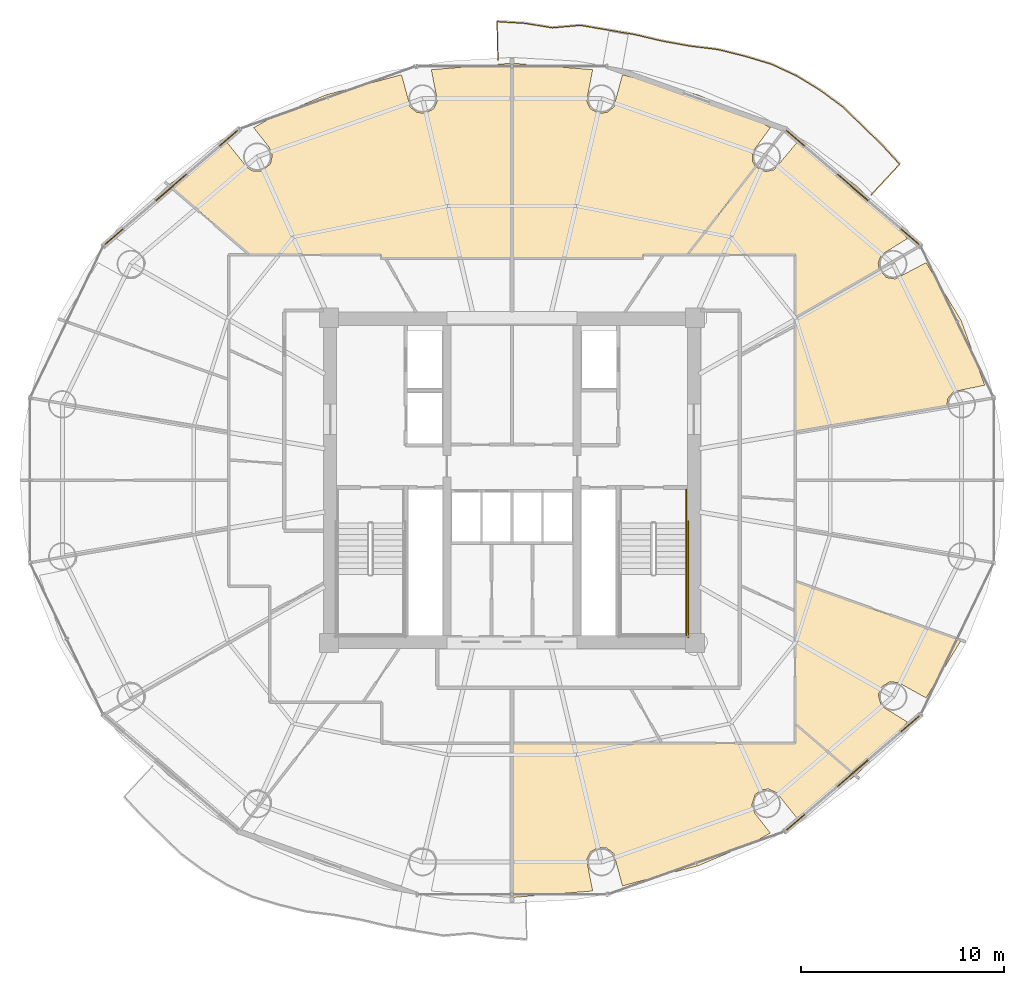
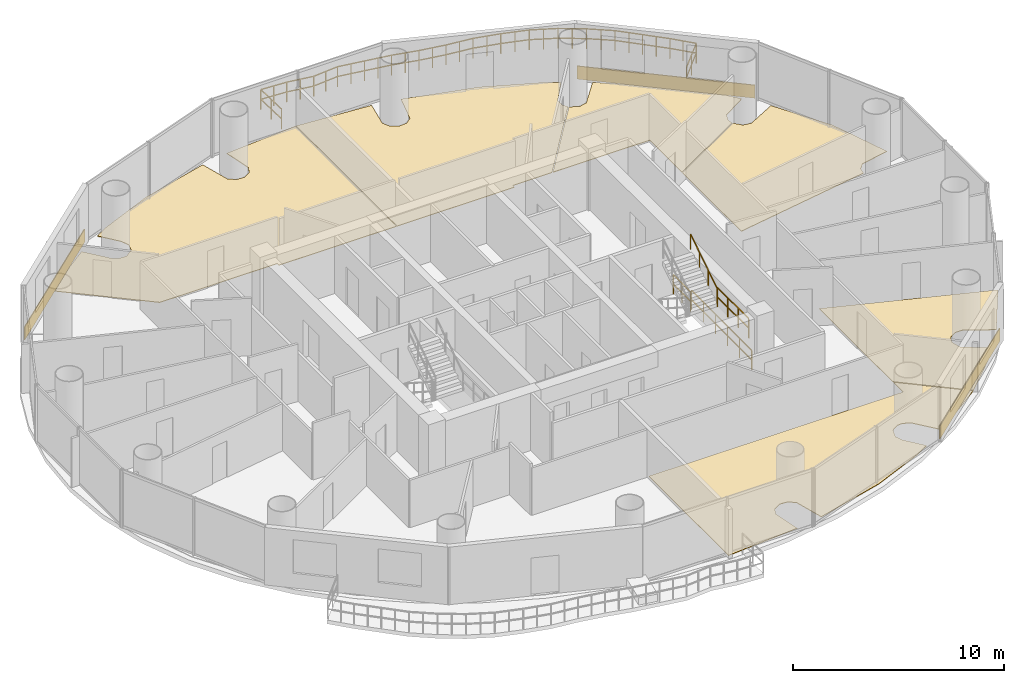
# One storey, part 26 of 26: 9 coverings, 5 railings.
"""IFC4 building model written with IfcOpenShell, lengths in metres."""

from ifc_helpers import new_model, si_unit, direction, frame, origin, origin_2d, place, context, subcontext, project, spatial, polyline, rectangle, outline, extrude, source, transform, mapped, material, layer, layer_set, type_object, element, save


model = new_model("IFC4")

# Units and contexts
model_context = context("Model", 3, precision=1e-05, world=origin(), true_north=direction((-0.2419218956, 0.970295726276)))
body_context = subcontext(model_context, "Body", "Model", "MODEL_VIEW")
ifc_project = project(units=[si_unit("LENGTHUNIT", "METRE"), si_unit("AREAUNIT", "SQUARE_METRE"), si_unit("VOLUMEUNIT", "CUBIC_METRE"), si_unit("PLANEANGLEUNIT", "RADIAN"), si_unit("MASSUNIT", "GRAM", prefix="KILO")], contexts=[model_context])

# Site, building, storey
site_placement = place(None, origin())
site = spatial("IfcSite", under=ifc_project, at=site_placement, CompositionType="ELEMENT")
building_placement = place(site_placement, origin())
building = spatial("IfcBuilding", under=site, at=building_placement, Name="Cobrevalo Terracotta Tower", CompositionType="ELEMENT")
storey_placement = place(building_placement, frame((0.0, 0.0, 171.39990234375)))
storey = spatial("IfcBuildingStorey", under=building, at=storey_placement, Name="L45", CompositionType="ELEMENT", Elevation=171.39990234375)

# Railing
ifc_material_1 = material(Name="Laminated structural glass and stainless steel", Category="steel")
railing_type_1 = type_object("IfcRailingType", Name="Balcony lobe structural glass & terracotta-cap balustrade 1180 mm", PredefinedType="BALUSTRADE", material=ifc_material_1)
railing_1_placement = place(storey_placement, frame((55.667724609375, 40.838134765625, 0.0)))
element("IfcRailing", 1, at=railing_1_placement, inside=storey, type_object=railing_type_1, Name="L45 spiralling balcony lobe balustrade 1", PredefinedType="BALUSTRADE", context=body_context, shape_type="SweptSolid", body=[
    extrude(rectangle(XDim=0.048095703125, YDim=0.048095703125, at=origin_2d()), frame((0.0, 0.0, 1.15576171875), z_axis=(0.68122363741, 0.732075375787, 0.0), x_axis=(-0.732075375787, 0.68122363741, 0.0)), (0.0, 0.0, 1.0), 2.0595703125),
    extrude(rectangle(XDim=0.048095703125, YDim=0.048095703125, at=origin_2d()), frame((0.0, 0.0, 0.58984375), z_axis=(0.68122363741, 0.732075375787, 0.0), x_axis=(-0.732075375787, 0.68122363741, 0.0)), (0.0, 0.0, 1.0), 2.0595703125),
    extrude(rectangle(XDim=0.048095703125, YDim=0.048095703125, at=origin_2d()), frame((1.403076171875, 1.5078125, 1.15576171875), z_axis=(-0.677125207172, 0.735867823602, 0.0), x_axis=(-0.735867823602, -0.677125207172, 0.0)), (0.0, 0.0, 1.0), 1.30908203125),
    extrude(rectangle(XDim=0.048095703125, YDim=0.048095703125, at=origin_2d()), frame((1.403076171875, 1.5078125, 0.58984375), z_axis=(-0.677125207172, 0.735867823602, 0.0), x_axis=(-0.735867823602, -0.677125207172, 0.0)), (0.0, 0.0, 1.0), 1.30908203125),
    extrude(rectangle(XDim=0.048095703125, YDim=0.048095703125, at=origin_2d()), frame((0.5166015625, 2.47119140625, 1.15576171875), z_axis=(-0.717917030404, 0.696128678806, 0.0), x_axis=(-0.696128678806, -0.717917030404, 0.0)), (0.0, 0.0, 1.0), 1.33349609375),
    extrude(rectangle(XDim=0.048095703125, YDim=0.048095703125, at=origin_2d()), frame((0.5166015625, 2.47119140625, 0.58984375), z_axis=(-0.717917030404, 0.696128678806, 0.0), x_axis=(-0.696128678806, -0.717917030404, 0.0)), (0.0, 0.0, 1.0), 1.33349609375),
    extrude(rectangle(XDim=0.048095703125, YDim=0.048095703125, at=origin_2d()), frame((-0.440673828125, 3.3994140625, 1.15576171875), z_axis=(-0.718152574059, 0.695885680535, 0.0), x_axis=(-0.695885680535, -0.718152574059, 0.0)), (0.0, 0.0, 1.0), 1.3486328125),
    extrude(rectangle(XDim=0.048095703125, YDim=0.048095703125, at=origin_2d()), frame((-0.440673828125, 3.3994140625, 0.58984375), z_axis=(-0.718152574059, 0.695885680535, 0.0), x_axis=(-0.695885680535, -0.718152574059, 0.0)), (0.0, 0.0, 1.0), 1.3486328125),
    extrude(rectangle(XDim=0.048095703125, YDim=0.048095703125, at=origin_2d()), frame((-1.4091796875, 4.337890625, 1.15576171875), z_axis=(-0.804825439693, 0.593511593504, 0.0), x_axis=(-0.593511593504, -0.804825439693, 0.0)), (0.0, 0.0, 1.0), 1.358642578125),
    extrude(rectangle(XDim=0.048095703125, YDim=0.048095703125, at=origin_2d()), frame((-1.4091796875, 4.337890625, 0.58984375), z_axis=(-0.804825439693, 0.593511593504, 0.0), x_axis=(-0.593511593504, -0.804825439693, 0.0)), (0.0, 0.0, 1.0), 1.358642578125),
    extrude(rectangle(XDim=0.048095703125, YDim=0.048095703125, at=origin_2d()), frame((-2.502685546875, 5.144287109375, 1.15576171875), z_axis=(-0.85331279291, 0.521399345469, 0.0), x_axis=(-0.521399345469, -0.85331279291, 0.0)), (0.0, 0.0, 1.0), 1.364501953125),
    extrude(rectangle(XDim=0.048095703125, YDim=0.048095703125, at=origin_2d()), frame((-2.502685546875, 5.144287109375, 0.58984375), z_axis=(-0.85331279291, 0.521399345469, 0.0), x_axis=(-0.521399345469, -0.85331279291, 0.0)), (0.0, 0.0, 1.0), 1.364501953125),
    extrude(rectangle(XDim=0.048095703125, YDim=0.048095703125, at=origin_2d()), frame((-3.6669921875, 5.855712890625, 1.15576171875), z_axis=(-0.907655958881, 0.419714975083, 0.0), x_axis=(-0.419714975083, -0.907655958881, 0.0)), (0.0, 0.0, 1.0), 1.366943359375),
    extrude(rectangle(XDim=0.048095703125, YDim=0.048095703125, at=origin_2d()), frame((-3.6669921875, 5.855712890625, 0.58984375), z_axis=(-0.907655958881, 0.419714975083, 0.0), x_axis=(-0.419714975083, -0.907655958881, 0.0)), (0.0, 0.0, 1.0), 1.366943359375),
    extrude(rectangle(XDim=0.048095703125, YDim=0.048095703125, at=origin_2d()), frame((-4.90771484375, 6.429443359375, 1.15576171875), z_axis=(-0.957305624306, 0.2890777433, 0.0), x_axis=(-0.2890777433, -0.957305624306, 0.0)), (0.0, 0.0, 1.0), 1.385009765625),
    extrude(rectangle(XDim=0.048095703125, YDim=0.048095703125, at=origin_2d()), frame((-4.90771484375, 6.429443359375, 0.58984375), z_axis=(-0.957305624306, 0.2890777433, 0.0), x_axis=(-0.2890777433, -0.957305624306, 0.0)), (0.0, 0.0, 1.0), 1.385009765625),
    extrude(rectangle(XDim=0.048095703125, YDim=0.048095703125, at=origin_2d()), frame((-6.233642578125, 6.829833984375, 1.15576171875), z_axis=(-0.971198441708, 0.238272085699, 0.0), x_axis=(-0.238272085699, -0.971198441708, 0.0)), (0.0, 0.0, 1.0), 1.375),
    extrude(rectangle(XDim=0.048095703125, YDim=0.048095703125, at=origin_2d()), frame((-6.233642578125, 6.829833984375, 0.58984375), z_axis=(-0.971198441708, 0.238272085699, 0.0), x_axis=(-0.238272085699, -0.971198441708, 0.0)), (0.0, 0.0, 1.0), 1.375),
    extrude(rectangle(XDim=0.048095703125, YDim=0.048095703125, at=origin_2d()), frame((-7.569091796875, 7.157470703125, 1.15576171875), z_axis=(-0.992598033699, 0.121446051793, 0.0), x_axis=(-0.121446051793, -0.992598033699, 0.0)), (0.0, 0.0, 1.0), 1.39306640625),
    extrude(rectangle(XDim=0.048095703125, YDim=0.048095703125, at=origin_2d()), frame((-7.569091796875, 7.157470703125, 0.58984375), z_axis=(-0.992598033699, 0.121446051793, 0.0), x_axis=(-0.121446051793, -0.992598033699, 0.0)), (0.0, 0.0, 1.0), 1.39306640625),
    extrude(rectangle(XDim=0.048095703125, YDim=0.048095703125, at=origin_2d()), frame((-8.951904296875, 7.32666015625, 1.15576171875), z_axis=(-0.983688995143, 0.179877627387, 0.0), x_axis=(-0.179877627387, -0.983688995143, 0.0)), (0.0, 0.0, 1.0), 1.364013671875),
    extrude(rectangle(XDim=0.048095703125, YDim=0.048095703125, at=origin_2d()), frame((-8.951904296875, 7.32666015625, 0.58984375), z_axis=(-0.983688995143, 0.179877627387, 0.0), x_axis=(-0.179877627387, -0.983688995143, 0.0)), (0.0, 0.0, 1.0), 1.364013671875),
    extrude(rectangle(XDim=0.048095703125, YDim=0.048095703125, at=origin_2d()), frame((-10.293701171875, 7.572021484375, 1.15576171875), z_axis=(-0.97323512968, 0.229811623632, 0.0), x_axis=(-0.229811623632, -0.97323512968, 0.0)), (0.0, 0.0, 1.0), 1.356689453125),
    extrude(rectangle(XDim=0.048095703125, YDim=0.048095703125, at=origin_2d()), frame((-10.293701171875, 7.572021484375, 0.58984375), z_axis=(-0.97323512968, 0.229811623632, 0.0), x_axis=(-0.229811623632, -0.97323512968, 0.0)), (0.0, 0.0, 1.0), 1.356689453125),
    extrude(rectangle(XDim=0.048095703125, YDim=0.048095703125, at=origin_2d()), frame((-11.614013671875, 7.8837890625, 1.15576171875), z_axis=(-0.985599257417, 0.169097911812, 0.0), x_axis=(-0.169097911812, -0.985599257417, 0.0)), (0.0, 0.0, 1.0), 1.3642578125),
    extrude(rectangle(XDim=0.048095703125, YDim=0.048095703125, at=origin_2d()), frame((-11.614013671875, 7.8837890625, 0.58984375), z_axis=(-0.985599257417, 0.169097911812, 0.0), x_axis=(-0.169097911812, -0.985599257417, 0.0)), (0.0, 0.0, 1.0), 1.3642578125),
    extrude(rectangle(XDim=0.048095703125, YDim=0.048095703125, at=origin_2d()), frame((-12.958740234375, 8.114501953125, 1.15576171875), z_axis=(-0.986043345606, 0.166488800184, 0.0), x_axis=(-0.166488800184, -0.986043345606, 0.0)), (0.0, 0.0, 1.0), 1.36376953125),
    extrude(rectangle(XDim=0.048095703125, YDim=0.048095703125, at=origin_2d()), frame((-12.958740234375, 8.114501953125, 0.58984375), z_axis=(-0.986043345606, 0.166488800184, 0.0), x_axis=(-0.166488800184, -0.986043345606, 0.0)), (0.0, 0.0, 1.0), 1.36376953125),
    extrude(rectangle(XDim=0.048095703125, YDim=0.048095703125, at=origin_2d()), frame((-14.303466796875, 8.341552734375, 1.15576171875), z_axis=(-0.996158832423, -0.08756472227, 0.0), x_axis=(0.08756472227, -0.996158832423, 0.0)), (0.0, 0.0, 1.0), 1.3857421875),
    extrude(rectangle(XDim=0.048095703125, YDim=0.048095703125, at=origin_2d()), frame((-14.303466796875, 8.341552734375, 0.58984375), z_axis=(-0.996158832423, -0.08756472227, 0.0), x_axis=(0.08756472227, -0.996158832423, 0.0)), (0.0, 0.0, 1.0), 1.3857421875),
    extrude(rectangle(XDim=0.048095703125, YDim=0.048095703125, at=origin_2d()), frame((-15.683837890625, 8.22021484375, 1.15576171875), z_axis=(-0.986927106875, 0.161167260063, 0.0), x_axis=(-0.161167260063, -0.986927106875, 0.0)), (0.0, 0.0, 1.0), 1.372314453125),
    extrude(rectangle(XDim=0.048095703125, YDim=0.048095703125, at=origin_2d()), frame((-15.683837890625, 8.22021484375, 0.58984375), z_axis=(-0.986927106875, 0.161167260063, 0.0), x_axis=(-0.161167260063, -0.986927106875, 0.0)), (0.0, 0.0, 1.0), 1.372314453125),
    extrude(rectangle(XDim=0.048095703125, YDim=0.048095703125, at=origin_2d()), frame((-17.038330078125, 8.44140625, 1.15576171875), z_axis=(-0.998181526806, 0.060279677695, 0.0), x_axis=(-0.060279677695, -0.998181526806, 0.0)), (0.0, 0.0, 1.0), 1.368896484375),
    extrude(rectangle(XDim=0.048095703125, YDim=0.048095703125, at=origin_2d()), frame((-17.038330078125, 8.44140625, 0.58984375), z_axis=(-0.998181526806, 0.060279677695, 0.0), x_axis=(-0.060279677695, -0.998181526806, 0.0)), (0.0, 0.0, 1.0), 1.368896484375),
    extrude(rectangle(XDim=0.048095703125, YDim=0.048095703125, at=origin_2d()), frame((-18.40478515625, 8.52392578125, 1.15576171875), z_axis=(0.02465039522, -0.99969613284, 0.0), x_axis=(0.99969613284, 0.02465039522, 0.0)), (0.0, 0.0, 1.0), 1.8916015625),
    extrude(rectangle(XDim=0.048095703125, YDim=0.048095703125, at=origin_2d()), frame((-18.40478515625, 8.52392578125, 0.58984375), z_axis=(0.02465039522, -0.99969613284, 0.0), x_axis=(0.99969613284, 0.02465039522, 0.0)), (0.0, 0.0, 1.0), 1.8916015625),
    extrude(rectangle(XDim=0.0419921875, YDim=0.0419921875, at=origin_2d()), origin(), (0.0, 0.0, 1.0), 1.1318359375),
    extrude(rectangle(XDim=0.0419921875, YDim=0.0419921875, at=origin_2d()), frame((0.70166015625, 0.75390625, 0.0)), (0.0, 0.0, 1.0), 1.1318359375),
    extrude(rectangle(XDim=0.0419921875, YDim=0.0419921875, at=origin_2d()), frame((1.403076171875, 1.5078125, 0.0)), (0.0, 0.0, 1.0), 1.1318359375),
    extrude(rectangle(XDim=0.0419921875, YDim=0.0419921875, at=origin_2d()), frame((0.9599609375, 1.989501953125, 0.0)), (0.0, 0.0, 1.0), 1.1318359375),
    extrude(rectangle(XDim=0.0419921875, YDim=0.0419921875, at=origin_2d()), frame((0.5166015625, 2.47119140625, 0.0)), (0.0, 0.0, 1.0), 1.1318359375),
    extrude(rectangle(XDim=0.0419921875, YDim=0.0419921875, at=origin_2d()), frame((0.0380859375, 2.935302734375, 0.0)), (0.0, 0.0, 1.0), 1.1318359375),
    extrude(rectangle(XDim=0.0419921875, YDim=0.0419921875, at=origin_2d()), frame((-0.440673828125, 3.3994140625, 0.0)), (0.0, 0.0, 1.0), 1.1318359375),
    extrude(rectangle(XDim=0.0419921875, YDim=0.0419921875, at=origin_2d()), frame((-0.9248046875, 3.86865234375, 0.0)), (0.0, 0.0, 1.0), 1.1318359375),
    extrude(rectangle(XDim=0.0419921875, YDim=0.0419921875, at=origin_2d()), frame((-1.4091796875, 4.337890625, 0.0)), (0.0, 0.0, 1.0), 1.1318359375),
    extrude(rectangle(XDim=0.0419921875, YDim=0.0419921875, at=origin_2d()), frame((-1.9560546875, 4.7412109375, 0.0)), (0.0, 0.0, 1.0), 1.1318359375),
    extrude(rectangle(XDim=0.0419921875, YDim=0.0419921875, at=origin_2d()), frame((-2.502685546875, 5.144287109375, 0.0)), (0.0, 0.0, 1.0), 1.1318359375),
    extrude(rectangle(XDim=0.0419921875, YDim=0.0419921875, at=origin_2d()), frame((-3.0849609375, 5.5, 0.0)), (0.0, 0.0, 1.0), 1.1318359375),
    extrude(rectangle(XDim=0.0419921875, YDim=0.0419921875, at=origin_2d()), frame((-3.6669921875, 5.855712890625, 0.0)), (0.0, 0.0, 1.0), 1.1318359375),
    extrude(rectangle(XDim=0.0419921875, YDim=0.0419921875, at=origin_2d()), frame((-4.287353515625, 6.142578125, 0.0)), (0.0, 0.0, 1.0), 1.1318359375),
    extrude(rectangle(XDim=0.0419921875, YDim=0.0419921875, at=origin_2d()), frame((-4.90771484375, 6.429443359375, 0.0)), (0.0, 0.0, 1.0), 1.1318359375),
    extrude(rectangle(XDim=0.0419921875, YDim=0.0419921875, at=origin_2d()), frame((-5.57080078125, 6.629638671875, 0.0)), (0.0, 0.0, 1.0), 1.1318359375),
    extrude(rectangle(XDim=0.0419921875, YDim=0.0419921875, at=origin_2d()), frame((-6.233642578125, 6.829833984375, 0.0)), (0.0, 0.0, 1.0), 1.1318359375),
    extrude(rectangle(XDim=0.0419921875, YDim=0.0419921875, at=origin_2d()), frame((-6.9013671875, 6.99365234375, 0.0)), (0.0, 0.0, 1.0), 1.1318359375),
    extrude(rectangle(XDim=0.0419921875, YDim=0.0419921875, at=origin_2d()), frame((-7.569091796875, 7.157470703125, 0.0)), (0.0, 0.0, 1.0), 1.1318359375),
    extrude(rectangle(XDim=0.0419921875, YDim=0.0419921875, at=origin_2d()), frame((-8.260498046875, 7.2421875, 0.0)), (0.0, 0.0, 1.0), 1.1318359375),
    extrude(rectangle(XDim=0.0419921875, YDim=0.0419921875, at=origin_2d()), frame((-8.951904296875, 7.32666015625, 0.0)), (0.0, 0.0, 1.0), 1.1318359375),
    extrude(rectangle(XDim=0.0419921875, YDim=0.0419921875, at=origin_2d()), frame((-9.622802734375, 7.44921875, 0.0)), (0.0, 0.0, 1.0), 1.1318359375),
    extrude(rectangle(XDim=0.0419921875, YDim=0.0419921875, at=origin_2d()), frame((-10.293701171875, 7.572021484375, 0.0)), (0.0, 0.0, 1.0), 1.1318359375),
    extrude(rectangle(XDim=0.0419921875, YDim=0.0419921875, at=origin_2d()), frame((-10.953857421875, 7.72802734375, 0.0)), (0.0, 0.0, 1.0), 1.1318359375),
    extrude(rectangle(XDim=0.0419921875, YDim=0.0419921875, at=origin_2d()), frame((-11.614013671875, 7.8837890625, 0.0)), (0.0, 0.0, 1.0), 1.1318359375),
    extrude(rectangle(XDim=0.0419921875, YDim=0.0419921875, at=origin_2d()), frame((-12.286376953125, 7.9990234375, 0.0)), (0.0, 0.0, 1.0), 1.1318359375),
    extrude(rectangle(XDim=0.0419921875, YDim=0.0419921875, at=origin_2d()), frame((-12.958740234375, 8.114501953125, 0.0)), (0.0, 0.0, 1.0), 1.1318359375),
    extrude(rectangle(XDim=0.0419921875, YDim=0.0419921875, at=origin_2d()), frame((-13.631103515625, 8.22802734375, 0.0)), (0.0, 0.0, 1.0), 1.1318359375),
    extrude(rectangle(XDim=0.0419921875, YDim=0.0419921875, at=origin_2d()), frame((-14.303466796875, 8.341552734375, 0.0)), (0.0, 0.0, 1.0), 1.1318359375),
    extrude(rectangle(XDim=0.0419921875, YDim=0.0419921875, at=origin_2d()), frame((-14.99365234375, 8.28076171875, 0.0)), (0.0, 0.0, 1.0), 1.1318359375),
    extrude(rectangle(XDim=0.0419921875, YDim=0.0419921875, at=origin_2d()), frame((-15.683837890625, 8.22021484375, 0.0)), (0.0, 0.0, 1.0), 1.1318359375),
    extrude(rectangle(XDim=0.0419921875, YDim=0.0419921875, at=origin_2d()), frame((-16.361083984375, 8.330810546875, 0.0)), (0.0, 0.0, 1.0), 1.1318359375),
    extrude(rectangle(XDim=0.0419921875, YDim=0.0419921875, at=origin_2d()), frame((-17.038330078125, 8.44140625, 0.0)), (0.0, 0.0, 1.0), 1.1318359375),
    extrude(rectangle(XDim=0.0419921875, YDim=0.0419921875, at=origin_2d()), frame((-17.7216796875, 8.482666015625, 0.0)), (0.0, 0.0, 1.0), 1.1318359375),
    extrude(rectangle(XDim=0.0419921875, YDim=0.0419921875, at=origin_2d()), frame((-18.40478515625, 8.52392578125, 0.0)), (0.0, 0.0, 1.0), 1.1318359375),
    extrude(rectangle(XDim=0.0419921875, YDim=0.0419921875, at=origin_2d()), frame((-18.38134765625, 7.578369140625, 0.0)), (0.0, 0.0, 1.0), 1.1318359375),
    extrude(rectangle(XDim=0.0419921875, YDim=0.0419921875, at=origin_2d()), frame((-18.358154296875, 6.6328125, 0.0)), (0.0, 0.0, 1.0), 1.1318359375),
])

# Coverings
ifc_material_2 = material(Name="Engineered Brazilian hardwood flooring", Category="wood")
ifc_layer_1 = layer(ifc_material_2, 0.028076171875)
ifc_layer_set_1 = layer_set([ifc_layer_1], Name="Engineered Brazilian hardwood flooring")
covering_type_1 = type_object("IfcCoveringType", Name="Engineered Hardwood Suite Flooring 28", PredefinedType="FLOORING", material=ifc_layer_set_1)
covering_1_placement = place(storey_placement, origin())
element("IfcCovering", 2, at=covering_1_placement, inside=storey, type_object=covering_type_1, Name="Flat L45A Penthouse Living and Dining Room floor finish", PredefinedType="FLOORING", context=body_context, shape_type="SweptSolid", body=[
    extrude(outline(polyline([(23.99755859375, 43.39990234375), (24.99072265625, 42.160400390625), (25.242431640625, 42.01904296875), (25.672119140625, 42.01025390625), (26.1171875, 42.3603515625), (26.209716796875, 42.780029296875), (26.053955078125, 43.179443359375), (25.295166015625, 44.143798828125), (26.038818359375, 44.5703125), (28.84521484375, 45.757568359375), (32.567138671875, 46.75), (32.99951171875, 45.150390625), (33.3408203125, 44.88916015625), (33.76953125, 44.861328125), (34.141357421875, 45.07666015625), (34.3310546875, 45.462158203125), (34.02880859375, 46.99951171875), (37.97998046875, 47.31884765625), (37.97998046875, 37.7451171875), (31.554931640625, 37.7451171875), (31.554931640625, 37.905029296875), (25.1103515625, 37.905029296875), (21.119873046875, 41.3349609375), (23.99755859375, 43.39990234375)])), origin(), (0.0, 0.0, 1.0), 0.030029296875),
])
covering_2_placement = place(storey_placement, origin())
element("IfcCovering", 3, at=covering_2_placement, inside=storey, type_object=covering_type_1, Name="Flat L45B Penthouse Living and Dining Room floor finish", PredefinedType="FLOORING", context=body_context, shape_type="SweptSolid", body=[
    extrude(outline(polyline([(52.00244140625, 10.2001953125), (51.00927734375, 11.439697265625), (50.61572265625, 11.6123046875), (50.327880859375, 11.58984375), (49.9658203125, 11.358642578125), (49.790283203125, 10.820068359375), (49.946044921875, 10.420654296875), (50.704833984375, 9.4560546875), (49.961181640625, 9.02978515625), (47.15478515625, 7.84228515625), (43.432861328125, 6.849853515625), (43.00048828125, 8.44970703125), (42.6591796875, 8.7109375), (42.23046875, 8.738525390625), (41.858642578125, 8.5234375), (41.6689453125, 8.1376953125), (41.97119140625, 6.6005859375), (38.02001953125, 6.28125), (38.02001953125, 13.844970703125), (51.955078125, 13.844970703125), (51.955078125, 14.779296875), (54.880126953125, 12.264892578125), (52.00244140625, 10.2001953125)])), origin(), (0.0, 0.0, 1.0), 0.030029296875),
])
covering_3_placement = place(storey_placement, origin())
element("IfcCovering", 4, at=covering_3_placement, inside=storey, type_object=covering_type_1, Name="Flat L45B Master Bedroom floor finish", PredefinedType="FLOORING", context=body_context, shape_type="SweptSolid", body=[
    extrude(outline(polyline([(58.367431640625, 16.09375), (56.982177734375, 16.863525390625), (56.552734375, 16.874267578125), (56.189697265625, 16.64453125), (56.01513671875, 16.251953125), (56.165771484375, 15.705810546875), (57.448486328125, 14.91357421875), (56.97802734375, 14.309326171875), (54.9111328125, 12.291015625), (51.955078125, 14.83203125), (51.955078125, 21.810546875), (60.081787109375, 18.917236328125), (58.367431640625, 16.09375)])), origin(), (0.0, 0.0, 1.0), 0.030029296875),
])
covering_4_placement = place(storey_placement, origin())
element("IfcCovering", 5, at=covering_4_placement, inside=storey, type_object=covering_type_1, Name="Flat L45B Penthouse Family Lounge floor finish", PredefinedType="FLOORING", context=body_context, shape_type="SweptSolid", body=[
    extrude(outline(polyline([(56.070068359375, 37.154541015625), (56.417236328125, 36.77783203125), (56.8408203125, 36.70458984375), (58.367431640625, 37.50634765625), (60.099609375, 34.651611328125), (61.251708984375, 31.478271484375), (59.7236328125, 31.1630859375), (59.44140625, 30.8388671875), (59.382568359375, 30.47607421875), (51.955078125, 29.2060546875), (51.955078125, 34.791259765625), (56.070068359375, 37.154541015625)])), origin(), (0.0, 0.0, 1.0), 0.030029296875),
])
covering_5_placement = place(storey_placement, origin())
element("IfcCovering", 6, at=covering_5_placement, inside=storey, type_object=covering_type_1, Name="Flat L45B Penthouse Family Lounge floor finish", PredefinedType="FLOORING", context=body_context, shape_type="SweptSolid", body=[
    extrude(outline(polyline([(46.658447265625, 37.905029296875), (50.002197265625, 42.20654296875), (50.470703125, 41.98486328125), (50.890380859375, 42.0771484375), (52.00244140625, 43.39990234375), (54.9150390625, 41.308837890625), (56.97802734375, 39.29052734375), (57.448486328125, 38.6865234375), (56.165771484375, 37.89404296875), (56.011474609375, 37.4931640625), (56.05615234375, 37.192626953125), (51.955078125, 34.83740234375), (51.955078125, 37.905029296875), (46.658447265625, 37.905029296875)])), origin(), (0.0, 0.0, 1.0), 0.030029296875),
])
covering_6_placement = place(storey_placement, origin())
element("IfcCovering", 7, at=covering_6_placement, inside=storey, type_object=covering_type_1, Name="Flat L45B Private Cinema Room floor finish", PredefinedType="FLOORING", context=body_context, shape_type="SweptSolid", body=[
    extrude(outline(polyline([(44.445068359375, 37.7451171875), (38.02001953125, 37.7451171875), (38.02001953125, 47.31884765625), (41.97119140625, 46.99951171875), (41.6689453125, 45.462158203125), (41.858642578125, 45.07666015625), (42.23046875, 44.861328125), (42.6591796875, 44.88916015625), (43.00048828125, 45.150390625), (43.432861328125, 46.75), (47.15478515625, 45.757568359375), (49.961181640625, 44.5703125), (50.704833984375, 44.143798828125), (49.815673828125, 42.9228515625), (49.824462890625, 42.4931640625), (49.97509765625, 42.236572265625), (46.607666015625, 37.905029296875), (44.445068359375, 37.905029296875), (44.445068359375, 37.7451171875)])), origin(), (0.0, 0.0, 1.0), 0.030029296875),
])

# Railings
ifc_material_3 = material(Name="Brushed stainless steel", Category="steel")
railing_type_2 = type_object("IfcRailingType", Name="Stainless Steel Stair Handrail 900", PredefinedType="HANDRAIL", material=ifc_material_3)
railing_2_placement = place(storey_placement, frame((46.574951171875, 22.179931640625, 1.97998046875)))
element("IfcRailing", 8, at=railing_2_placement, inside=storey, type_object=railing_type_2, Name="L45 ST-2 stair handrail 2", PredefinedType="HANDRAIL", context=body_context, shape_type="SweptSolid", body=[
    extrude(rectangle(XDim=0.048095703125, YDim=0.048095703125, at=origin_2d()), frame((0.0, 0.0, 0.8759765625), z_axis=(0.0, 0.841162588446, 0.540782303519), x_axis=(-1.0, 0.0, 0.0)), (0.0, 0.0, 1.0), 2.995849609375),
    extrude(rectangle(XDim=0.0419921875, YDim=0.0419921875, at=origin_2d()), origin(), (0.0, 0.0, 1.0), 0.851806640625),
    extrude(rectangle(XDim=0.0419921875, YDim=0.0419921875, at=origin_2d()), frame((0.0, 0.840087890625, 0.5400390625)), (0.0, 0.0, 1.0), 0.851806640625),
    extrude(rectangle(XDim=0.0419921875, YDim=0.0419921875, at=origin_2d()), frame((0.0, 1.679931640625, 1.080078125)), (0.0, 0.0, 1.0), 0.851806640625),
    extrude(rectangle(XDim=0.0419921875, YDim=0.0419921875, at=origin_2d()), frame((0.0, 2.52001953125, 1.6201171875)), (0.0, 0.0, 1.0), 0.851806640625),
])
ifc_material_4 = material(Name="Painted galvanized steel", Category="steel")
railing_type_3 = type_object("IfcRailingType", Name="Stair Well Guard Balustrade 1150", PredefinedType="GUARDRAIL", material=ifc_material_4)
railing_3_placement = place(storey_placement, frame((46.574951171875, 22.179931640625, 1.800048828125)))
element("IfcRailing", 9, at=railing_3_placement, inside=storey, type_object=railing_type_3, Name="L45 ST-2 stair guard 4", PredefinedType="GUARDRAIL", context=body_context, shape_type="SweptSolid", body=[
    extrude(rectangle(XDim=0.048095703125, YDim=0.048095703125, at=origin_2d()), frame((0.0, 0.0, 1.1259765625), z_axis=(0.0, -1.0, 0.0), x_axis=(1.0, 0.0, 0.0)), (0.0, 0.0, 1.0), 3.0048828125),
    extrude(rectangle(XDim=0.048095703125, YDim=0.048095703125, at=origin_2d()), frame((0.0, 0.0, 0.574951171875), z_axis=(0.0, -1.0, 0.0), x_axis=(1.0, 0.0, 0.0)), (0.0, 0.0, 1.0), 3.0048828125),
    extrude(rectangle(XDim=0.0419921875, YDim=0.0419921875, at=origin_2d()), origin(), (0.0, 0.0, 1.0), 1.101806640625),
    extrude(rectangle(XDim=0.0419921875, YDim=0.0419921875, at=origin_2d()), frame((0.0, -1.001708984375, 0.0)), (0.0, 0.0, 1.0), 1.101806640625),
    extrude(rectangle(XDim=0.0419921875, YDim=0.0419921875, at=origin_2d()), frame((0.0, -2.003173828125, 0.0)), (0.0, 0.0, 1.0), 1.101806640625),
    extrude(rectangle(XDim=0.0419921875, YDim=0.0419921875, at=origin_2d()), frame((0.0, -3.0048828125, 0.0)), (0.0, 0.0, 1.0), 1.101806640625),
])
railing_4_placement = place(storey_placement, frame((46.574951171875, 26.35009765625, 0.0)))
element("IfcRailing", 10, at=railing_4_placement, inside=storey, type_object=railing_type_3, Name="L45 ST-2 stair guard 9", PredefinedType="GUARDRAIL", context=body_context, shape_type="SweptSolid", body=[
    extrude(rectangle(XDim=0.048095703125, YDim=0.048095703125, at=origin_2d()), frame((0.0, 0.0, 1.1259765625), z_axis=(0.0, -1.0, 0.0), x_axis=(1.0, 0.0, 0.0)), (0.0, 0.0, 1.0), 1.650146484375),
    extrude(rectangle(XDim=0.048095703125, YDim=0.048095703125, at=origin_2d()), frame((0.0, 0.0, 0.574951171875), z_axis=(0.0, -1.0, 0.0), x_axis=(1.0, 0.0, 0.0)), (0.0, 0.0, 1.0), 1.650146484375),
    extrude(rectangle(XDim=0.0419921875, YDim=0.0419921875, at=origin_2d()), origin(), (0.0, 0.0, 1.0), 1.101806640625),
    extrude(rectangle(XDim=0.0419921875, YDim=0.0419921875, at=origin_2d()), frame((0.0, -0.8251953125, 0.0)), (0.0, 0.0, 1.0), 1.101806640625),
    extrude(rectangle(XDim=0.0419921875, YDim=0.0419921875, at=origin_2d()), frame((0.0, -1.650146484375, 0.0)), (0.0, 0.0, 1.0), 1.101806640625),
])
railing_5_placement = place(storey_placement, frame((46.675048828125, 24.800048828125, 0.0)))
element("IfcRailing", 11, at=railing_5_placement, inside=storey, type_object=railing_type_3, Name="L45 ST-2 stair guard 11", PredefinedType="GUARDRAIL", context=body_context, shape_type="SweptSolid", body=[
    extrude(rectangle(XDim=0.048095703125, YDim=0.048095703125, at=origin_2d()), frame((0.0, 0.0, 1.1259765625), z_axis=(0.0, -1.0, 0.0), x_axis=(1.0, 0.0, 0.0)), (0.0, 0.0, 1.0), 5.72509765625),
    extrude(rectangle(XDim=0.048095703125, YDim=0.048095703125, at=origin_2d()), frame((0.0, 0.0, 0.574951171875), z_axis=(0.0, -1.0, 0.0), x_axis=(1.0, 0.0, 0.0)), (0.0, 0.0, 1.0), 5.72509765625),
    extrude(rectangle(XDim=0.0419921875, YDim=0.0419921875, at=origin_2d()), origin(), (0.0, 0.0, 1.0), 1.101806640625),
    extrude(rectangle(XDim=0.0419921875, YDim=0.0419921875, at=origin_2d()), frame((0.0, -1.14501953125, 0.0)), (0.0, 0.0, 1.0), 1.101806640625),
    extrude(rectangle(XDim=0.0419921875, YDim=0.0419921875, at=origin_2d()), frame((0.0, -2.2900390625, 0.0)), (0.0, 0.0, 1.0), 1.101806640625),
    extrude(rectangle(XDim=0.0419921875, YDim=0.0419921875, at=origin_2d()), frame((0.0, -3.43505859375, 0.0)), (0.0, 0.0, 1.0), 1.101806640625),
    extrude(rectangle(XDim=0.0419921875, YDim=0.0419921875, at=origin_2d()), frame((0.0, -4.580078125, 0.0)), (0.0, 0.0, 1.0), 1.101806640625),
    extrude(rectangle(XDim=0.0419921875, YDim=0.0419921875, at=origin_2d()), frame((0.0, -5.72509765625, 0.0)), (0.0, 0.0, 1.0), 1.101806640625),
])

# Coverings
ifc_material_5 = material(Name="Glazed terracotta facade cladding tile", Category="masonry")
ifc_layer_2 = layer(ifc_material_5, 0.044921875)
ifc_layer_set_2 = layer_set([ifc_layer_2], Name="Glazed terracotta facade cladding tile")
covering_type_2 = type_object("IfcCoveringType", Name="Architectural terracotta rainscreen spandrel cladding 45 mm", PredefinedType="CLADDING", material=ifc_layer_set_2)
shared_shape = source(origin(), body_context, "Body", "SweptSolid", [
    extrude(rectangle(XDim=8.59228515625, YDim=0.044921875, at=origin_2d()), origin(), (0.0, 0.0, 1.0), 0.760009765625),
])
for number, where, z_axis, x_axis, name in (
    (12, (54.762451171875, 41.204345703125, 0.0400390625), (0.0, 0.0, 1.0), (-0.758436996112, 0.651746363955, 0.0), "L45 terracotta spandrel cladding S02"),
    (13, (21.237548828125, 41.204345703125, 0.0400390625), (0.0, 0.0, 1.0), (-0.758436996112, -0.651746363955, 0.0), "L45 terracotta spandrel cladding S06"),
    (14, (54.762451171875, 12.3955078125, 0.0400390625), (0.0, 0.0, 1.0), (0.758436996112, 0.651746363955, 0.0), "L45 terracotta spandrel cladding S14"),
):
    element("IfcCovering", number, at=place(storey_placement, frame(where, z_axis=z_axis, x_axis=x_axis)), inside=storey, type_object=covering_type_2, Name=name, PredefinedType="CLADDING", context=body_context, shape_type="MappedRepresentation", body=[
        mapped(shared_shape, transform((0.0, 0.0, 0.0), scale=1.0)),
    ])

save(model, "model.ifc")
